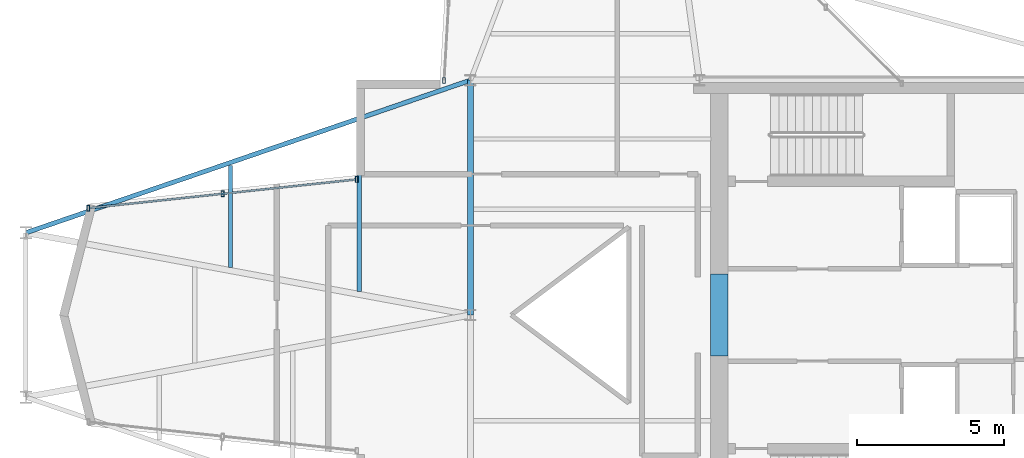
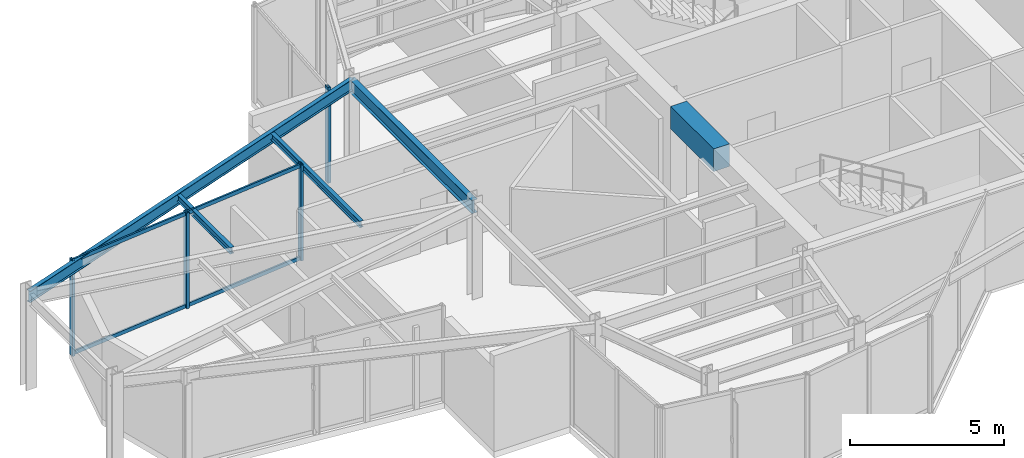
# One storey, part 4 of 13: 6 members, 5 beams, 2 elements without a shape of their own.
"""IFC4 building model written with IfcOpenShell, lengths in metres."""

from ifc_helpers import new_model, si_unit, direction, frame, origin, origin_2d, place, context, subcontext, project, spatial, rectangle, hollow_rectangle, i_section, extrude, material, layer, layer_set, material_profile, profile_set, type_object, element, aggregate, save


model = new_model("IFC4")

# Units and contexts
model_context = context("Model", 3, precision=1e-05, world=origin(), true_north=direction((0.0, 1.0)))
body_context = subcontext(model_context, "Body", "Model", "MODEL_VIEW")
ifc_project = project(units=[si_unit("LENGTHUNIT", "METRE"), si_unit("AREAUNIT", "SQUARE_METRE"), si_unit("VOLUMEUNIT", "CUBIC_METRE"), si_unit("PLANEANGLEUNIT", "RADIAN"), si_unit("MASSUNIT", "GRAM", prefix="KILO")], contexts=[model_context])

# Site, building, storey
site_placement = place(None, origin())
site = spatial("IfcSite", under=ifc_project, at=site_placement, CompositionType="ELEMENT")
building_placement = place(site_placement, origin())
building = spatial("IfcBuilding", under=site, at=building_placement, Name="Veymaron Broadcast Tower", CompositionType="ELEMENT")
storey_placement = place(building_placement, frame((0.0, 0.0, 303.300048828125)))
storey = spatial("IfcBuildingStorey", under=building, at=storey_placement, Name="L71", CompositionType="ELEMENT", Elevation=303.300048828125)

# Beams
ifc_material_1 = material(Name="Concrete C60/75", Category="concrete")
ifc_material_profile_1 = material_profile(ifc_material_1, rectangle(XDim=0.60009765625, YDim=0.89990234375, at=origin_2d()), Name="RC600X900")
ifc_profile_set_1 = profile_set([ifc_material_profile_1], Name="Concrete C60/75")
beam_type_1 = type_object("IfcBeamType", Name="BM-CB2", PredefinedType="LINTEL", material=ifc_profile_set_1)
beam_1_placement = place(storey_placement, frame((39.679931640625, 22.60009765625, 3.35986328125), z_axis=(0.0, 1.0, 0.0), x_axis=(-1.0, 0.0, 0.0)))
element("IfcBeam", 1, at=beam_1_placement, inside=storey, type_object=beam_type_1, Name="L71 Core Wall west coupling beam", PredefinedType="LINTEL", context=body_context, shape_type="SweptSolid", body=[
    extrude(rectangle(XDim=0.60009765625, YDim=0.89990234375, at=origin_2d()), origin(), (0.0, 0.0, 1.0), 2.7998046875),
])
ifc_material_2 = material(Name="Structural steel ASTM A992 Gr 50", Category="steel")
ifc_material_profile_2 = material_profile(ifc_material_2, i_section(OverallWidth=0.208984375, OverallDepth=0.528076171875, WebThickness=0.009521484375, FlangeThickness=0.01318359375, at=origin_2d()), Name="W530X82")
ifc_profile_set_2 = profile_set([ifc_material_profile_2], Name="Structural steel ASTM A992 Gr 50")
beam_type_2 = type_object("IfcBeamType", Name="BM-FG4", PredefinedType="BEAM", material=ifc_profile_set_2)
beam_2_placement = place(storey_placement, frame((31.199951171875, 24.0, 3.5458984375), z_axis=(0.0, 1.0, 0.0), x_axis=(-1.0, 0.0, 0.0)))
element("IfcBeam", 2, at=beam_2_placement, inside=storey, type_object=beam_type_2, Name="L71 primary structural floor girder", PredefinedType="BEAM", context=body_context, shape_type="SweptSolid", body=[
    extrude(i_section(OverallWidth=0.208984375, OverallDepth=0.528076171875, WebThickness=0.009521484375, FlangeThickness=0.01318359375, at=origin_2d()), origin(), (0.0, 0.0, 1.0), 8.0),
])
ifc_material_profile_3 = material_profile(ifc_material_2, i_section(OverallWidth=0.14599609375, OverallDepth=0.258056640625, WebThickness=0.006103515625, FlangeThickness=0.009033203125, at=origin_2d()), Name="W250X33")
ifc_profile_set_3 = profile_set([ifc_material_profile_3], Name="Structural steel ASTM A992 Gr 50")
beam_type_3 = type_object("IfcBeamType", Name="BM-JS4", PredefinedType="JOIST", material=ifc_profile_set_3)
beam_3_placement = place(storey_placement, frame((23.020263671875, 25.613037109375, 3.680908203125), z_axis=(0.0, 1.0, 0.0), x_axis=(-1.0, 0.0, 0.0)))
element("IfcBeam", 3, at=beam_3_placement, inside=storey, type_object=beam_type_3, Name="L71 Arm-A secondary joist 1N", PredefinedType="JOIST", context=body_context, shape_type="SweptSolid", body=[
    extrude(i_section(OverallWidth=0.14599609375, OverallDepth=0.258056640625, WebThickness=0.006103515625, FlangeThickness=0.009033203125, at=origin_2d()), origin(), (0.0, 0.0, 1.0), 3.47998046875),
])
beam_4_placement = place(storey_placement, frame((27.4130859375, 24.800537109375, 3.680908203125), z_axis=(0.0, 1.0, 0.0), x_axis=(-1.0, 0.0, 0.0)))
element("IfcBeam", 4, at=beam_4_placement, inside=storey, type_object=beam_type_3, Name="L71 Arm-A secondary joist 2N", PredefinedType="JOIST", context=body_context, shape_type="SweptSolid", body=[
    extrude(i_section(OverallWidth=0.14599609375, OverallDepth=0.258056640625, WebThickness=0.006103515625, FlangeThickness=0.009033203125, at=origin_2d()), origin(), (0.0, 0.0, 1.0), 5.800048828125),
])
ifc_material_profile_4 = material_profile(ifc_material_2, i_section(OverallWidth=0.154052734375, OverallDepth=0.458984375, WebThickness=0.009033203125, FlangeThickness=0.015380859375, at=origin_2d()), Name="W460X68")
ifc_profile_set_4 = profile_set([ifc_material_profile_4], Name="Structural steel ASTM A992 Gr 50")
beam_type_4 = type_object("IfcBeamType", Name="BM-SP2", PredefinedType="SPANDREL", material=ifc_profile_set_4)
beam_5_placement = place(storey_placement, frame((16.052490234375, 26.802001953125, 3.58056640625), z_axis=(0.94585811637, 0.324580380949, 0.0), x_axis=(-0.324580380949, 0.94585811637, 0.0)))
element("IfcBeam", 5, at=beam_5_placement, inside=storey, type_object=beam_type_4, Name="L71 primary structural floor girder", PredefinedType="SPANDREL", context=body_context, shape_type="SweptSolid", body=[
    extrude(i_section(OverallWidth=0.154052734375, OverallDepth=0.458984375, WebThickness=0.009033203125, FlangeThickness=0.015380859375, at=origin_2d()), origin(), (0.0, 0.0, 1.0), 16.014404296875),
])

# Curtain wall, member
ifc_material_3 = material(Name="Anodised aluminium AA 6063-T6 and laminated low-E dark glass", Category="aluminium")
ifc_layer = layer(ifc_material_3, 0.179931640625)
ifc_layer_set = layer_set([ifc_layer], Name="Anodised aluminium AA 6063-T6 and laminated low-E dark glass")
curtain_wall_type = type_object("IfcCurtainWallType", Name="CW-SYS-06", PredefinedType="NOTDEFINED", material=ifc_layer_set)
curtain_wall_1_placement = place(storey_placement, origin())
curtain_wall_1 = element("IfcCurtainWall", 6, at=curtain_wall_1_placement, inside=storey, type_object=curtain_wall_type, Name="L71 dark-glass curtain wall CW-L71-E8-1", PredefinedType="NOTDEFINED")
ifc_material_4 = material(Name="Anodised aluminium AA 6063-T6", Category="aluminium")
ifc_material_profile_5 = material_profile(ifc_material_4, hollow_rectangle(XDim=0.10009765625, YDim=0.199951171875, WallThickness=0.010009765625, at=origin_2d()), Name="RHS200X100X10")
ifc_profile_set_5 = profile_set([ifc_material_profile_5], Name="Anodised aluminium AA 6063-T6")
member_type_1 = type_object("IfcMemberType", Name="CW-MUL-01", PredefinedType="MULLION", material=ifc_profile_set_5)
member_1_placement = place(storey_placement, frame((30.2998046875, 31.991943359375, 0.0), z_axis=(0.0, 0.0, 1.0), x_axis=(1.0, 0.0, 0.0)))
member_1 = element("IfcMember", 7, at=member_1_placement, type_object=member_type_1, Name="CW-L71-E8-1 mullion 2", PredefinedType="MULLION", context=body_context, shape_type="SweptSolid", body=[
    extrude(hollow_rectangle(XDim=0.10009765625, YDim=0.199951171875, WallThickness=0.010009765625, at=origin_2d()), origin(), (0.0, 0.0, 1.0), 3.81005859375),
])
aggregate(curtain_wall_1, [member_1])

# Curtain wall, members
curtain_wall_2_placement = place(storey_placement, origin())
curtain_wall_2 = element("IfcCurtainWall", 8, at=curtain_wall_2_placement, inside=storey, type_object=curtain_wall_type, Name="L71 dark-glass curtain wall CW-L71-E11-1", PredefinedType="NOTDEFINED")
member_2_placement = place(storey_placement, frame((27.32861328125, 28.62060546875, 0.0), z_axis=(0.0, 0.0, 1.0), x_axis=(1.0, 0.0, 0.0)))
member_2 = element("IfcMember", 9, at=member_2_placement, type_object=member_type_1, Name="CW-L71-E11-1 mullion 0", PredefinedType="MULLION", context=body_context, shape_type="SweptSolid", body=[
    extrude(hollow_rectangle(XDim=0.10009765625, YDim=0.199951171875, WallThickness=0.010009765625, at=origin_2d()), origin(), (0.0, 0.0, 1.0), 3.81005859375),
])
member_3_placement = place(storey_placement, frame((22.751708984375, 28.130859375, 0.0), z_axis=(0.0, 0.0, 1.0), x_axis=(1.0, 0.0, 0.0)))
member_3 = element("IfcMember", 10, at=member_3_placement, type_object=member_type_1, Name="CW-L71-E11-1 mullion 1", PredefinedType="MULLION", context=body_context, shape_type="SweptSolid", body=[
    extrude(hollow_rectangle(XDim=0.10009765625, YDim=0.199951171875, WallThickness=0.010009765625, at=origin_2d()), origin(), (0.0, 0.0, 1.0), 3.81005859375),
])
member_4_placement = place(storey_placement, frame((18.1748046875, 27.64111328125, 0.0), z_axis=(0.0, 0.0, 1.0), x_axis=(1.0, 0.0, 0.0)))
member_4 = element("IfcMember", 11, at=member_4_placement, type_object=member_type_1, Name="CW-L71-E11-1 mullion 2", PredefinedType="MULLION", context=body_context, shape_type="SweptSolid", body=[
    extrude(hollow_rectangle(XDim=0.10009765625, YDim=0.199951171875, WallThickness=0.010009765625, at=origin_2d()), origin(), (0.0, 0.0, 1.0), 3.81005859375),
])
ifc_material_profile_6 = material_profile(ifc_material_4, hollow_rectangle(XDim=0.06494140625, YDim=0.14990234375, WallThickness=0.00390625, at=origin_2d()), Name="AL150X65X4")
ifc_profile_set_6 = profile_set([ifc_material_profile_6], Name="Anodised aluminium AA 6063-T6")
member_type_2 = type_object("IfcMemberType", Name="CW-TRN-01", PredefinedType="USERDEFINED", material=ifc_profile_set_6)
member_5_placement = place(storey_placement, frame((27.27880859375, 28.615478515625, 0.070068359375), z_axis=(-0.994319089673, -0.106440349081, 0.0), x_axis=(0.106440349081, -0.994319089673, 0.0)))
member_5 = element("IfcMember", 12, at=member_5_placement, type_object=member_type_2, Name="CW-L71-E11-1 transom B", ObjectType="TRANSOM", PredefinedType="USERDEFINED", context=body_context, shape_type="SweptSolid", body=[
    extrude(hollow_rectangle(XDim=0.06494140625, YDim=0.14990234375, WallThickness=0.00390625, at=origin_2d()), origin(), (0.0, 0.0, 1.0), 9.10595703125),
])
member_6_placement = place(storey_placement, frame((27.27880859375, 28.615478515625, 3.739990234375), z_axis=(-0.994319089673, -0.106440349081, 0.0), x_axis=(0.106440349081, -0.994319089673, 0.0)))
member_6 = element("IfcMember", 13, at=member_6_placement, type_object=member_type_2, Name="CW-L71-E11-1 transom T", ObjectType="TRANSOM", PredefinedType="USERDEFINED", context=body_context, shape_type="SweptSolid", body=[
    extrude(hollow_rectangle(XDim=0.06494140625, YDim=0.14990234375, WallThickness=0.00390625, at=origin_2d()), origin(), (0.0, 0.0, 1.0), 9.10595703125),
])
aggregate(curtain_wall_2, [member_2, member_3, member_4, member_5, member_6])

save(model, "model.ifc")
